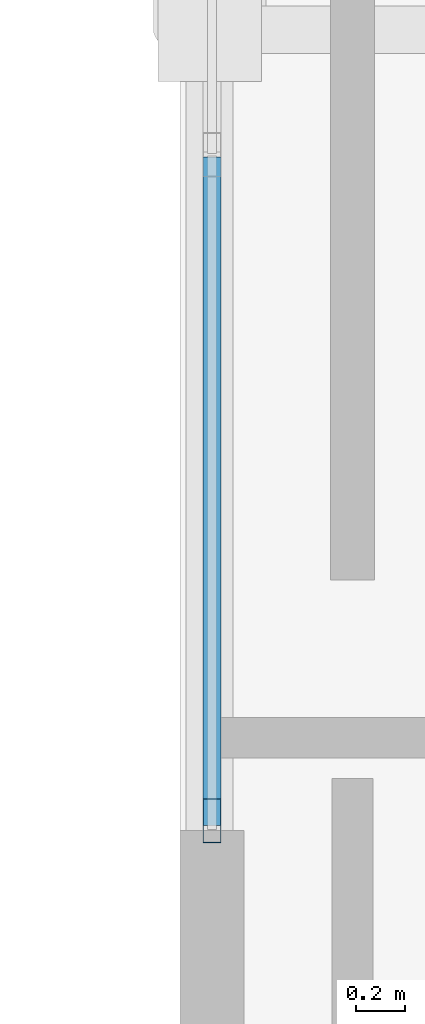
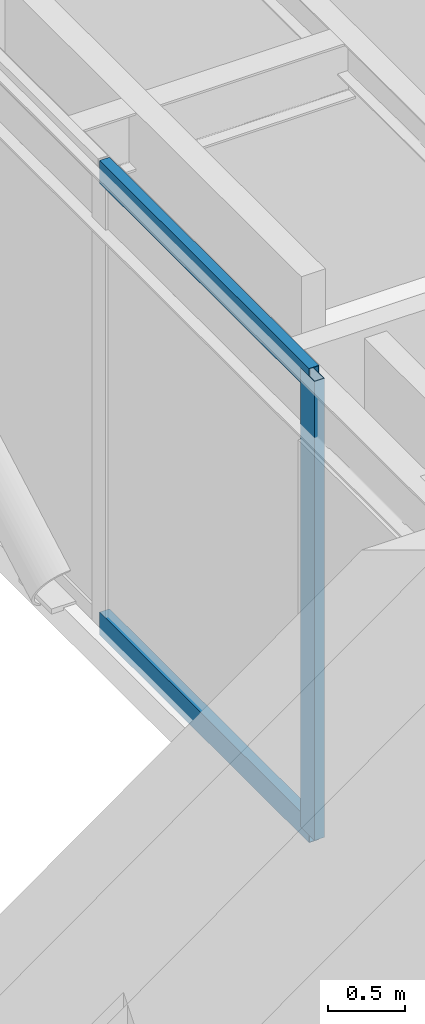
# One storey, part 4 of 18: 3 members, 1 element without a shape of its own.
"""IFC4 building model written with IfcOpenShell, lengths in metres."""

from ifc_helpers import new_model, si_unit, direction, frame, origin, origin_2d, place, context, subcontext, project, spatial, hollow_rectangle, extrude, material, material_profile, profile_set, type_object, element, aggregate, save


model = new_model("IFC4")

# Units and contexts
model_context = context("Model", 3, precision=1e-05, world=origin(), true_north=direction((0.0, 1.0)))
body_context = subcontext(model_context, "Body", "Model", "MODEL_VIEW")
ifc_project = project(units=[si_unit("LENGTHUNIT", "METRE"), si_unit("AREAUNIT", "SQUARE_METRE"), si_unit("VOLUMEUNIT", "CUBIC_METRE"), si_unit("PLANEANGLEUNIT", "RADIAN"), si_unit("MASSUNIT", "GRAM", prefix="KILO")], contexts=[model_context])

# Site, building, storey
site_placement = place(None, origin())
site = spatial("IfcSite", under=ifc_project, at=site_placement, CompositionType="ELEMENT")
building_placement = place(site_placement, origin())
building = spatial("IfcBuilding", under=site, at=building_placement, Name="Ventersveld Concourse Tower", CompositionType="ELEMENT")
storey_placement = place(building_placement, frame((0.0, 0.0, 341.35009765625)))
storey = spatial("IfcBuildingStorey", under=building, at=storey_placement, Name="L84", CompositionType="ELEMENT", Elevation=341.35009765625)

# Curtain wall, members
ifc_material = material(Name="Anodised aluminium EN AW-6063-T6", Category="aluminium")
curtain_wall_type = type_object("IfcCurtainWallType", Name="CW-WP-5", PredefinedType="NOTDEFINED", material=ifc_material)
curtain_wall_placement = place(storey_placement, origin())
curtain_wall = element("IfcCurtainWall", 1, at=curtain_wall_placement, inside=storey, type_object=curtain_wall_type, Name="L84 L84 Wind Portal Aerodynamic Cheek Curtain Wall", PredefinedType="NOTDEFINED")
ifc_material_profile_1 = material_profile(ifc_material, hollow_rectangle(XDim=0.074951171875, YDim=0.179931640625, WallThickness=0.00390625, at=origin_2d()), Name="ALU 180x75x4")
ifc_profile_set_1 = profile_set([ifc_material_profile_1], Name="Anodised aluminium EN AW-6063-T6")
member_type_1 = type_object("IfcMemberType", Name="CWM-180x75", PredefinedType="MULLION", material=ifc_profile_set_1)
member_1_placement = place(storey_placement, frame((34.1298828125, 14.2900390625, 0.0), z_axis=(0.0, 0.0, 1.0), x_axis=(1.0, 0.0, 0.0)))
member_1 = element("IfcMember", 2, at=member_1_placement, type_object=member_type_1, Name="CW-L84-WP-E Mullion 01", PredefinedType="MULLION", context=body_context, shape_type="SweptSolid", body=[
    extrude(hollow_rectangle(XDim=0.074951171875, YDim=0.179931640625, WallThickness=0.00390625, at=origin_2d()), origin(), (0.0, 0.0, 1.0), 3.6298828125),
])
ifc_material_profile_2 = material_profile(ifc_material, hollow_rectangle(XDim=0.074951171875, YDim=0.179931640625, WallThickness=0.00390625, at=origin_2d()), Name="ALU 180x75x4")
ifc_profile_set_2 = profile_set([ifc_material_profile_2], Name="Anodised aluminium EN AW-6063-T6")
member_type_2 = type_object("IfcMemberType", Name="CWT-180x75", PredefinedType="USERDEFINED", material=ifc_profile_set_2)
member_2_placement = place(storey_placement, frame((34.1298828125, 14.27001953125, 0.02978515625), z_axis=(0.0, 1.0, 0.0), x_axis=(-1.0, 0.0, 0.0)))
member_2 = element("IfcMember", 3, at=member_2_placement, type_object=member_type_2, Name="CW-L84-WP-E Transom 1-01", ObjectType="TRANSOM", PredefinedType="USERDEFINED", context=body_context, shape_type="SweptSolid", body=[
    extrude(hollow_rectangle(XDim=0.074951171875, YDim=0.179931640625, WallThickness=0.00390625, at=origin_2d()), origin(), (0.0, 0.0, 1.0), 2.712890625),
])
member_3_placement = place(storey_placement, frame((34.1298828125, 14.27001953125, 3.599853515625), z_axis=(0.0, 1.0, 0.0), x_axis=(-1.0, 0.0, 0.0)))
member_3 = element("IfcMember", 4, at=member_3_placement, type_object=member_type_2, Name="CW-L84-WP-E Transom 2-01", ObjectType="TRANSOM", PredefinedType="USERDEFINED", context=body_context, shape_type="SweptSolid", body=[
    extrude(hollow_rectangle(XDim=0.074951171875, YDim=0.179931640625, WallThickness=0.00390625, at=origin_2d()), origin(), (0.0, 0.0, 1.0), 2.712890625),
])
aggregate(curtain_wall, [member_1, member_2, member_3])

save(model, "model.ifc")
